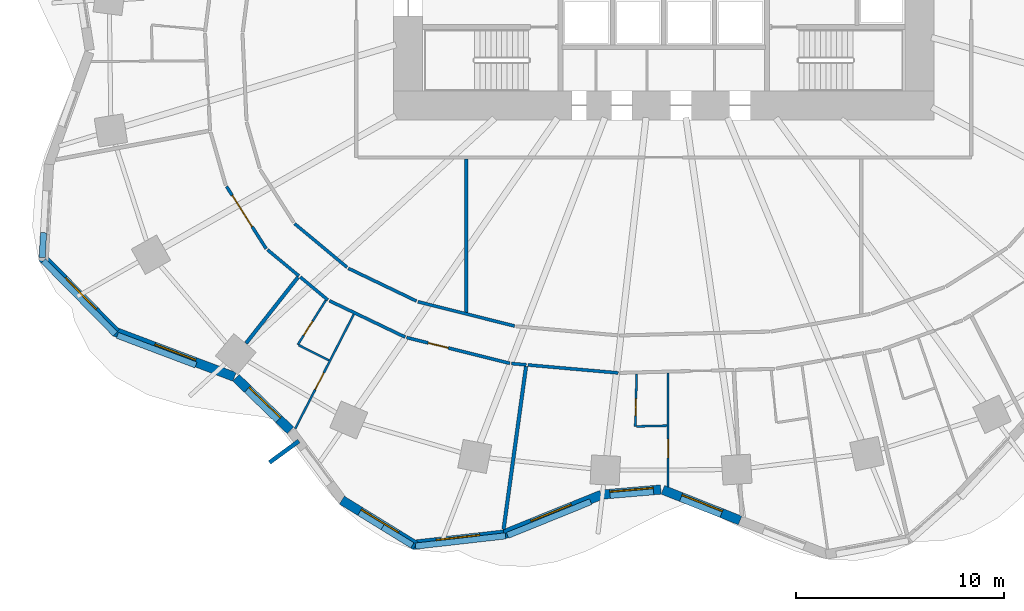
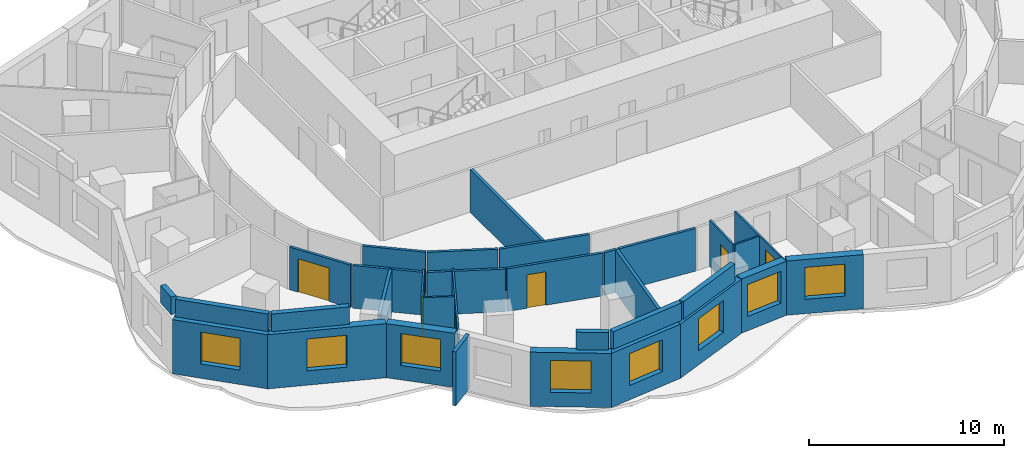
# One storey, part 3 of 11: 34 walls, 8 windows, 6 doors, 14 openings.
"""IFC4 building model written with IfcOpenShell, lengths in metres."""

from ifc_helpers import new_model, si_unit, direction, frame, frame_2d, origin, place, context, subcontext, project, spatial, rectangle, extrude, material, layer, layer_set, type_object, element, fill, save


model = new_model("IFC4")

# Units and contexts
model_context = context("Model", 3, precision=1e-05, world=origin(), true_north=direction((0.0, 1.0)))
body_context = subcontext(model_context, "Body", "Model", "MODEL_VIEW")
ifc_project = project(units=[si_unit("LENGTHUNIT", "METRE"), si_unit("AREAUNIT", "SQUARE_METRE"), si_unit("VOLUMEUNIT", "CUBIC_METRE"), si_unit("PLANEANGLEUNIT", "RADIAN"), si_unit("MASSUNIT", "GRAM", prefix="KILO")], contexts=[model_context])

# Site, building, storey
site_placement = place(None, origin())
site = spatial("IfcSite", under=ifc_project, at=site_placement, CompositionType="ELEMENT")
building_placement = place(site_placement, origin())
building = spatial("IfcBuilding", under=site, at=building_placement, Name="Rubra Terraces Tower", CompositionType="ELEMENT")
storey_placement = place(building_placement, frame((0.0, 0.0, 51.89990234375)))
storey = spatial("IfcBuildingStorey", under=building, at=storey_placement, Name="L10", CompositionType="ELEMENT", Elevation=51.89990234375)

# Walls
ifc_material_1 = material(Name="Twin plasterboard on staggered steel stud, acoustic mineral wool", Category="steel")
ifc_layer_1 = layer(ifc_material_1, 0.175048828125)
ifc_layer_set_1 = layer_set([ifc_layer_1], Name="Twin plasterboard on staggered steel stud, acoustic mineral wool")
wall_type_1 = type_object("IfcWallType", Name="ACOUSTIC PARTY WALL 175", PredefinedType="PARTITIONING", material=ifc_layer_set_1)
wall_1_placement = place(storey_placement, frame((-20.1015625, -13.744140625, 0.0), z_axis=(0.0, 0.0, 1.0), x_axis=(0.618226596267, 0.785999920908, 0.0)))
element("IfcWall", 1, at=wall_1_placement, inside=storey, type_object=wall_type_1, Name="PARTITION", PredefinedType="PARTITIONING", context=body_context, shape_type="SweptSolid", body=[
    extrude(rectangle(XDim=4.04541015625, YDim=0.175048828125, at=frame_2d((2.022705078125, 0.0))), origin(), (0.0, 0.0, 1.0), 2.68017578125),
])
wall_2_placement = place(storey_placement, frame((-7.70703125, -22.69873046875, 0.0), z_axis=(0.0, 0.0, 1.0), x_axis=(0.13661443917, 0.990624295589, 0.0)))
element("IfcWall", 2, at=wall_2_placement, inside=storey, type_object=wall_type_1, Name="PARTITION", PredefinedType="PARTITIONING", context=body_context, shape_type="SweptSolid", body=[
    extrude(rectangle(XDim=7.916748046875, YDim=0.175048828125, at=frame_2d((3.95849609375, 0.0))), origin(), (0.0, 0.0, 1.0), 2.68017578125),
])
wall_3_placement = place(storey_placement, frame((-9.5, -12.256591796875, 0.0), z_axis=(0.0, 0.0, 1.0), x_axis=(0.0, 1.0, 0.0)))
element("IfcWall", 3, at=wall_3_placement, inside=storey, type_object=wall_type_1, Name="PARTITION", PredefinedType="PARTITIONING", context=body_context, shape_type="SweptSolid", body=[
    extrude(rectangle(XDim=7.381591796875, YDim=0.175048828125, at=frame_2d((3.69091796875, 0.0))), origin(), (0.0, 0.0, 1.0), 2.68017578125),
])

# Wall, opening, window
ifc_material_2 = material(Name="Brick masonry red-brown", Category="masonry")
ifc_layer_2 = layer(ifc_material_2, 0.449951171875)
ifc_layer_set_2 = layer_set([ifc_layer_2], Name="Brick masonry red-brown")
wall_type_2 = type_object("IfcWallType", Name="Brick facade wall 450", PredefinedType="SOLIDWALL", material=ifc_layer_set_2)
wall_4_placement = place(storey_placement, frame((-29.909423828125, -9.6123046875, 0.0), z_axis=(0.0, 0.0, 1.0), x_axis=(0.700902433902, -0.713257161303, 0.0)))
wall_4 = element("IfcWall", 4, at=wall_4_placement, inside=storey, type_object=wall_type_2, Name="Facade wall L10 bay 23", PredefinedType="SOLIDWALL", context=body_context, shape_type="SweptSolid", body=[
    extrude(rectangle(XDim=5.07861328125, YDim=0.449951171875, at=frame_2d((2.539306640625, 0.0))), origin(), (0.0, 0.0, 1.0), 3.400146484375),
])
opening_1_placement = place(wall_4_placement, frame((1.4892578125, 0.0, 0.89990234375)))
opening_1 = element("IfcOpeningElement", 5, at=opening_1_placement, cuts=wall_4, Name="Opening W1", PredefinedType="OPENING", context=body_context, shape_type="SweptSolid", body=[
    extrude(rectangle(XDim=2.10009765625, YDim=2.0, at=frame_2d((1.050048828125, 1.0))), frame((0.0, 0.23486328125, 0.0), z_axis=(0.0, -1.0, 0.0), x_axis=(1.0, 0.0, 0.0)), (0.0, 0.0, 1.0), 0.469970703125),
])
ifc_material_3 = material(Name="Clear glass in aluminium frame", Category="aluminium")
window_type = type_object("IfcWindowType", Name="Fixed deep-set window 2100 x 2000", PartitioningType="SINGLE_PANEL", PredefinedType="WINDOW", material=ifc_material_3)
window_1_placement = place(opening_1_placement, origin())
window_1 = element("IfcWindow", 6, at=window_1_placement, inside=storey, type_object=window_type, Name="Window L10 bay 23", OverallHeight=2.0, OverallWidth=2.10009765625, PartitioningType="SINGLE_PANEL", PredefinedType="WINDOW", context=body_context, shape_type="SweptSolid", body=[
    extrude(rectangle(XDim=2.10009765625, YDim=2.0, at=frame_2d((1.050048828125, 1.0))), frame((0.0, 0.135009765625, 0.0), z_axis=(0.0, -1.0, 0.0), x_axis=(1.0, 0.0, 0.0)), (0.0, 0.0, 1.0), 0.06005859375),
])
fill(opening_1, window_1)

wall_5_placement = place(storey_placement, frame((-26.430908203125, -13.181884765625, 0.0), z_axis=(0.0, 0.0, 1.0), x_axis=(0.935540074321, -0.35322056755, 0.0)))
wall_5 = element("IfcWall", 7, at=wall_5_placement, inside=storey, type_object=wall_type_2, Name="Facade wall L10 bay 24", PredefinedType="SOLIDWALL", context=body_context, shape_type="SweptSolid", body=[
    extrude(rectangle(XDim=6.17236328125, YDim=0.449951171875, at=frame_2d((3.086181640625, 0.0))), origin(), (0.0, 0.0, 1.0), 3.400146484375),
])
opening_2_placement = place(wall_5_placement, frame((2.0361328125, 0.0, 0.89990234375)))
opening_2 = element("IfcOpeningElement", 8, at=opening_2_placement, cuts=wall_5, Name="Opening W1", PredefinedType="OPENING", context=body_context, shape_type="SweptSolid", body=[
    extrude(rectangle(XDim=2.10009765625, YDim=2.0, at=frame_2d((1.050048828125, 1.0))), frame((0.0, 0.23486328125, 0.0), z_axis=(0.0, -1.0, 0.0), x_axis=(1.0, 0.0, 0.0)), (0.0, 0.0, 1.0), 0.469970703125),
])
window_2_placement = place(opening_2_placement, origin())
window_2 = element("IfcWindow", 9, at=window_2_placement, inside=storey, type_object=window_type, Name="Window L10 bay 24", OverallHeight=2.0, OverallWidth=2.10009765625, PartitioningType="SINGLE_PANEL", PredefinedType="WINDOW", context=body_context, shape_type="SweptSolid", body=[
    extrude(rectangle(XDim=2.10009765625, YDim=2.0, at=frame_2d((1.050048828125, 1.0))), frame((0.0, 0.135009765625, 0.0), z_axis=(0.0, -1.0, 0.0), x_axis=(1.0, 0.0, 0.0)), (0.0, 0.0, 1.0), 0.06005859375),
])
fill(opening_2, window_2)

wall_6_placement = place(storey_placement, frame((-20.585205078125, -15.40576171875, 0.0), z_axis=(0.0, 0.0, 1.0), x_axis=(0.719978118026, -0.693996764808, 0.0)))
wall_6 = element("IfcWall", 10, at=wall_6_placement, inside=storey, type_object=wall_type_2, Name="Facade wall L10 bay 25", PredefinedType="SOLIDWALL", context=body_context, shape_type="SweptSolid", body=[
    extrude(rectangle(XDim=3.64599609375, YDim=0.449951171875, at=frame_2d((1.822998046875, 0.0))), origin(), (0.0, 0.0, 1.0), 3.400146484375),
])
opening_3_placement = place(wall_6_placement, frame((0.77294921875, 0.0, 0.89990234375)))
opening_3 = element("IfcOpeningElement", 11, at=opening_3_placement, cuts=wall_6, Name="Opening W1", PredefinedType="OPENING", context=body_context, shape_type="SweptSolid", body=[
    extrude(rectangle(XDim=2.10009765625, YDim=2.0, at=frame_2d((1.050048828125, 1.0))), frame((0.0, 0.23486328125, 0.0), z_axis=(0.0, -1.0, 0.0), x_axis=(1.0, 0.0, 0.0)), (0.0, 0.0, 1.0), 0.469970703125),
])
window_3_placement = place(opening_3_placement, origin())
window_3 = element("IfcWindow", 12, at=window_3_placement, inside=storey, type_object=window_type, Name="Window L10 bay 25", OverallHeight=2.0, OverallWidth=2.10009765625, PartitioningType="SINGLE_PANEL", PredefinedType="WINDOW", context=body_context, shape_type="SweptSolid", body=[
    extrude(rectangle(XDim=2.10009765625, YDim=2.0, at=frame_2d((1.050048828125, 1.0))), frame((0.0, 0.135009765625, 0.0), z_axis=(0.0, -1.0, 0.0), x_axis=(1.0, 0.0, 0.0)), (0.0, 0.0, 1.0), 0.06005859375),
])
fill(opening_3, window_3)

wall_7_placement = place(storey_placement, frame((-15.491943359375, -21.29345703125, 0.0), z_axis=(0.0, 0.0, 1.0), x_axis=(0.851428967753, -0.524469935145, 0.0)))
wall_7 = element("IfcWall", 13, at=wall_7_placement, inside=storey, type_object=wall_type_2, Name="Facade wall L10 bay 27", PredefinedType="SOLIDWALL", context=body_context, shape_type="SweptSolid", body=[
    extrude(rectangle(XDim=4.16796875, YDim=0.449951171875, at=frame_2d((2.083984375, 0.0))), origin(), (0.0, 0.0, 1.0), 3.400146484375),
])
opening_4_placement = place(wall_7_placement, frame((1.0341796875, 0.0, 0.89990234375)))
opening_4 = element("IfcOpeningElement", 14, at=opening_4_placement, cuts=wall_7, Name="Opening W1", PredefinedType="OPENING", context=body_context, shape_type="SweptSolid", body=[
    extrude(rectangle(XDim=2.10009765625, YDim=2.0, at=frame_2d((1.050048828125, 1.0))), frame((0.0, 0.23486328125, 0.0), z_axis=(0.0, -1.0, 0.0), x_axis=(1.0, 0.0, 0.0)), (0.0, 0.0, 1.0), 0.469970703125),
])
window_4_placement = place(opening_4_placement, origin())
window_4 = element("IfcWindow", 15, at=window_4_placement, inside=storey, type_object=window_type, Name="Window L10 bay 27", OverallHeight=2.0, OverallWidth=2.10009765625, PartitioningType="SINGLE_PANEL", PredefinedType="WINDOW", context=body_context, shape_type="SweptSolid", body=[
    extrude(rectangle(XDim=2.10009765625, YDim=2.0, at=frame_2d((1.050048828125, 1.0))), frame((0.0, 0.135009765625, 0.0), z_axis=(0.0, -1.0, 0.0), x_axis=(1.0, 0.0, 0.0)), (0.0, 0.0, 1.0), 0.06005859375),
])
fill(opening_4, window_4)

wall_8_placement = place(storey_placement, frame((-12.08642578125, -23.447509765625, 0.0), z_axis=(0.0, 0.0, 1.0), x_axis=(0.993615664665, 0.112818043472, 0.0)))
wall_8 = element("IfcWall", 16, at=wall_8_placement, inside=storey, type_object=wall_type_2, Name="Facade wall L10 bay 28", PredefinedType="SOLIDWALL", context=body_context, shape_type="SweptSolid", body=[
    extrude(rectangle(XDim=4.42333984375, YDim=0.449951171875, at=frame_2d((2.211669921875, 0.0))), origin(), (0.0, 0.0, 1.0), 3.400146484375),
])
opening_5_placement = place(wall_8_placement, frame((1.16162109375, 0.0, 0.89990234375)))
opening_5 = element("IfcOpeningElement", 17, at=opening_5_placement, cuts=wall_8, Name="Opening W1", PredefinedType="OPENING", context=body_context, shape_type="SweptSolid", body=[
    extrude(rectangle(XDim=2.10009765625, YDim=2.0, at=frame_2d((1.050048828125, 1.0))), frame((0.0, 0.23486328125, 0.0), z_axis=(0.0, -1.0, 0.0), x_axis=(1.0, 0.0, 0.0)), (0.0, 0.0, 1.0), 0.469970703125),
])
window_5_placement = place(opening_5_placement, origin())
window_5 = element("IfcWindow", 18, at=window_5_placement, inside=storey, type_object=window_type, Name="Window L10 bay 28", OverallHeight=2.0, OverallWidth=2.10009765625, PartitioningType="SINGLE_PANEL", PredefinedType="WINDOW", context=body_context, shape_type="SweptSolid", body=[
    extrude(rectangle(XDim=2.10009765625, YDim=2.0, at=frame_2d((1.050048828125, 1.0))), frame((0.0, 0.135009765625, 0.0), z_axis=(0.0, -1.0, 0.0), x_axis=(1.0, 0.0, 0.0)), (0.0, 0.0, 1.0), 0.06005859375),
])
fill(opening_5, window_5)

wall_9_placement = place(storey_placement, frame((-7.75048828125, -22.963623046875, 0.0), z_axis=(0.0, 0.0, 1.0), x_axis=(0.926629703254, 0.375975255897, 0.0)))
wall_9 = element("IfcWall", 19, at=wall_9_placement, inside=storey, type_object=wall_type_2, Name="Facade wall L10 bay 29", PredefinedType="SOLIDWALL", context=body_context, shape_type="SweptSolid", body=[
    extrude(rectangle(XDim=5.1181640625, YDim=0.449951171875, at=frame_2d((2.55908203125, 0.0))), origin(), (0.0, 0.0, 1.0), 3.400146484375),
])
opening_6_placement = place(wall_9_placement, frame((1.50927734375, 0.0, 0.89990234375)))
opening_6 = element("IfcOpeningElement", 20, at=opening_6_placement, cuts=wall_9, Name="Opening W1", PredefinedType="OPENING", context=body_context, shape_type="SweptSolid", body=[
    extrude(rectangle(XDim=2.10009765625, YDim=2.0, at=frame_2d((1.050048828125, 1.0))), frame((0.0, 0.23486328125, 0.0), z_axis=(0.0, -1.0, 0.0), x_axis=(1.0, 0.0, 0.0)), (0.0, 0.0, 1.0), 0.469970703125),
])
window_6_placement = place(opening_6_placement, origin())
window_6 = element("IfcWindow", 21, at=window_6_placement, inside=storey, type_object=window_type, Name="Window L10 bay 29", OverallHeight=2.0, OverallWidth=2.10009765625, PartitioningType="SINGLE_PANEL", PredefinedType="WINDOW", context=body_context, shape_type="SweptSolid", body=[
    extrude(rectangle(XDim=2.10009765625, YDim=2.0, at=frame_2d((1.050048828125, 1.0))), frame((0.0, 0.135009765625, 0.0), z_axis=(0.0, -1.0, 0.0), x_axis=(1.0, 0.0, 0.0)), (0.0, 0.0, 1.0), 0.06005859375),
])
fill(opening_6, window_6)

wall_10_placement = place(storey_placement, frame((-2.942138671875, -21.023681640625, 0.0), z_axis=(0.0, 0.0, 1.0), x_axis=(0.996362034459, 0.085221454389, 0.0)))
wall_10 = element("IfcWall", 22, at=wall_10_placement, inside=storey, type_object=wall_type_2, Name="Facade wall L10 bay 30", PredefinedType="SOLIDWALL", context=body_context, shape_type="SweptSolid", body=[
    extrude(rectangle(XDim=2.813232421875, YDim=0.449951171875, at=frame_2d((1.40673828125, 0.0))), origin(), (0.0, 0.0, 1.0), 3.400146484375),
])
opening_7_placement = place(wall_10_placement, frame((0.356689453125, 0.0, 0.89990234375)))
opening_7 = element("IfcOpeningElement", 23, at=opening_7_placement, cuts=wall_10, Name="Opening W1", PredefinedType="OPENING", context=body_context, shape_type="SweptSolid", body=[
    extrude(rectangle(XDim=2.10009765625, YDim=2.0, at=frame_2d((1.050048828125, 1.0))), frame((0.0, 0.23486328125, 0.0), z_axis=(0.0, -1.0, 0.0), x_axis=(1.0, 0.0, 0.0)), (0.0, 0.0, 1.0), 0.469970703125),
])
window_7_placement = place(opening_7_placement, origin())
window_7 = element("IfcWindow", 24, at=window_7_placement, inside=storey, type_object=window_type, Name="Window L10 bay 30", OverallHeight=2.0, OverallWidth=2.10009765625, PartitioningType="SINGLE_PANEL", PredefinedType="WINDOW", context=body_context, shape_type="SweptSolid", body=[
    extrude(rectangle(XDim=2.10009765625, YDim=2.0, at=frame_2d((1.050048828125, 1.0))), frame((0.0, 0.135009765625, 0.0), z_axis=(0.0, -1.0, 0.0), x_axis=(1.0, 0.0, 0.0)), (0.0, 0.0, 1.0), 0.06005859375),
])
fill(opening_7, window_7)

wall_11_placement = place(storey_placement, frame((-0.04052734375, -20.797607421875, 0.0), z_axis=(0.0, 0.0, 1.0), x_axis=(0.929539262027, -0.368723148649, 0.0)))
wall_11 = element("IfcWall", 25, at=wall_11_placement, inside=storey, type_object=wall_type_2, Name="Facade wall L10 bay 31", PredefinedType="SOLIDWALL", context=body_context, shape_type="SweptSolid", body=[
    extrude(rectangle(XDim=3.99462890625, YDim=0.449951171875, at=frame_2d((1.997314453125, 0.0))), origin(), (0.0, 0.0, 1.0), 3.400146484375),
])
opening_8_placement = place(wall_11_placement, frame((0.947265625, 0.0, 0.89990234375)))
opening_8 = element("IfcOpeningElement", 26, at=opening_8_placement, cuts=wall_11, Name="Opening W1", PredefinedType="OPENING", context=body_context, shape_type="SweptSolid", body=[
    extrude(rectangle(XDim=2.10009765625, YDim=2.0, at=frame_2d((1.050048828125, 1.0))), frame((0.0, 0.23486328125, 0.0), z_axis=(0.0, -1.0, 0.0), x_axis=(1.0, 0.0, 0.0)), (0.0, 0.0, 1.0), 0.469970703125),
])
window_8_placement = place(opening_8_placement, origin())
window_8 = element("IfcWindow", 27, at=window_8_placement, inside=storey, type_object=window_type, Name="Window L10 bay 31", OverallHeight=2.0, OverallWidth=2.10009765625, PartitioningType="SINGLE_PANEL", PredefinedType="WINDOW", context=body_context, shape_type="SweptSolid", body=[
    extrude(rectangle(XDim=2.10009765625, YDim=2.0, at=frame_2d((1.050048828125, 1.0))), frame((0.0, 0.135009765625, 0.0), z_axis=(0.0, -1.0, 0.0), x_axis=(1.0, 0.0, 0.0)), (0.0, 0.0, 1.0), 0.06005859375),
])
fill(opening_8, window_8)

# Walls
ifc_layer_3 = layer(ifc_material_2, 0.300048828125)
ifc_layer_set_3 = layer_set([ifc_layer_3], Name="Brick masonry red-brown")
wall_type_3 = type_object("IfcWallType", Name="Brick parapet 300", PredefinedType="PARAPET", material=ifc_layer_set_3)
wall_12_placement = place(storey_placement, frame((-29.845947265625, -8.422119140625, 3.60009765625), z_axis=(0.0, 0.0, 1.0), x_axis=(-0.054723601839, -0.998501541011, 0.0)))
element("IfcWall", 28, at=wall_12_placement, inside=storey, type_object=wall_type_3, Name="Parapet L10 bay 22", PredefinedType="PARAPET", context=body_context, shape_type="SweptSolid", body=[
    extrude(rectangle(XDim=1.195556640625, YDim=0.300048828125, at=frame_2d((0.59765625, 0.0))), origin(), (0.0, 0.0, 1.0), 1.10009765625),
])
wall_13_placement = place(storey_placement, frame((-29.84912109375, -9.78076171875, 3.60009765625), z_axis=(0.0, 0.0, 1.0), x_axis=(0.700911537772, -0.713248215012, 0.0)))
element("IfcWall", 29, at=wall_13_placement, inside=storey, type_object=wall_type_3, Name="Parapet L10 bay 23", PredefinedType="PARAPET", context=body_context, shape_type="SweptSolid", body=[
    extrude(rectangle(XDim=4.927734375, YDim=0.300048828125, at=frame_2d((2.4638671875, 0.0))), origin(), (0.0, 0.0, 1.0), 1.10009765625),
])
wall_14_placement = place(storey_placement, frame((-26.292236328125, -13.362548828125, 3.60009765625), z_axis=(0.0, 0.0, 1.0), x_axis=(0.93551777481, -0.353279624397, 0.0)))
element("IfcWall", 30, at=wall_14_placement, inside=storey, type_object=wall_type_3, Name="Parapet L10 bay 24", PredefinedType="PARAPET", context=body_context, shape_type="SweptSolid", body=[
    extrude(rectangle(XDim=4.04345703125, YDim=0.300048828125, at=frame_2d((2.021728515625, 0.0))), origin(), (0.0, 0.0, 1.0), 1.10009765625),
])
wall_15_placement = place(storey_placement, frame((-13.52978515625, -22.590087890625, 3.60009765625), z_axis=(0.0, 0.0, 1.0), x_axis=(0.851434206084, -0.524461431098, 0.0)))
element("IfcWall", 31, at=wall_15_placement, inside=storey, type_object=wall_type_3, Name="Parapet L10 bay 27", PredefinedType="PARAPET", context=body_context, shape_type="SweptSolid", body=[
    extrude(rectangle(XDim=1.683837890625, YDim=0.300048828125, at=frame_2d((0.841796875, 0.0))), origin(), (0.0, 0.0, 1.0), 1.10009765625),
])
wall_16_placement = place(storey_placement, frame((-11.9453125, -23.5068359375, 3.60009765625), z_axis=(0.0, 0.0, 1.0), x_axis=(0.993618806168, 0.11279037206, 0.0)))
element("IfcWall", 32, at=wall_16_placement, inside=storey, type_object=wall_type_3, Name="Parapet L10 bay 28", PredefinedType="PARAPET", context=body_context, shape_type="SweptSolid", body=[
    extrude(rectangle(XDim=4.361572265625, YDim=0.300048828125, at=frame_2d((2.1806640625, 0.0))), origin(), (0.0, 0.0, 1.0), 1.10009765625),
])
wall_17_placement = place(storey_placement, frame((-7.514404296875, -22.990234375, 3.60009765625), z_axis=(0.0, 0.0, 1.0), x_axis=(0.926627413994, 0.375980897966, 0.0)))
element("IfcWall", 33, at=wall_17_placement, inside=storey, type_object=wall_type_3, Name="Parapet L10 bay 29", PredefinedType="PARAPET", context=body_context, shape_type="SweptSolid", body=[
    extrude(rectangle(XDim=4.31494140625, YDim=0.300048828125, at=frame_2d((2.157470703125, 0.0))), origin(), (0.0, 0.0, 1.0), 1.10009765625),
])
ifc_layer_4 = layer(ifc_material_2, 0.199951171875)
ifc_layer_set_4 = layer_set([ifc_layer_4], Name="Brick masonry red-brown")
wall_type_4 = type_object("IfcWallType", Name="Brick wind fin 200", PredefinedType="SOLIDWALL", material=ifc_layer_set_4)
wall_18_placement = place(storey_placement, frame((-17.56005859375, -18.449951171875, 0.0), z_axis=(0.0, 0.0, 1.0), x_axis=(-0.807091943364, -0.590425774299, 0.0)))
element("IfcWall", 34, at=wall_18_placement, inside=storey, type_object=wall_type_4, Name="Wind fin L10 16", PredefinedType="SOLIDWALL", context=body_context, shape_type="SweptSolid", body=[
    extrude(rectangle(XDim=1.75, YDim=0.199951171875, at=frame_2d((0.875, 0.0))), origin(), (0.0, 0.0, 1.0), 3.400146484375),
])

# Wall, opening, door
ifc_material_4 = material(Name="Plasterboard on steel stud, mineral wool infill", Category="steel")
ifc_layer_5 = layer(ifc_material_4, 0.14990234375)
ifc_layer_set_5 = layer_set([ifc_layer_5], Name="Plasterboard on steel stud, mineral wool infill")
wall_type_5 = type_object("IfcWallType", Name="CORRIDOR PARTITION 150", PredefinedType="PARTITIONING", material=ifc_layer_set_5)
wall_19_placement = place(storey_placement, frame((-21.04052734375, -6.20068359375, 0.0), z_axis=(0.0, 0.0, 1.0), x_axis=(0.537680823918, -0.843148463552, 0.0)))
wall_19 = element("IfcWall", 35, at=wall_19_placement, inside=storey, type_object=wall_type_5, Name="PARTITION", PredefinedType="PARTITIONING", context=body_context, shape_type="SweptSolid", body=[
    extrude(rectangle(XDim=3.54931640625, YDim=0.14990234375, at=frame_2d((1.774658203125, 0.0))), origin(), (0.0, 0.0, 1.0), 2.68017578125),
])
opening_9_placement = place(wall_19_placement, frame((0.498046875, 0.0, 0.0)))
opening_9 = element("IfcOpeningElement", 36, at=opening_9_placement, cuts=wall_19, Name="Opening 10-112", PredefinedType="OPENING", context=body_context, shape_type="SweptSolid", body=[
    extrude(rectangle(XDim=1.800048828125, YDim=2.10009765625, at=frame_2d((0.89990234375, 1.050048828125))), frame((0.0, 0.0849609375, 0.0), z_axis=(0.0, -1.0, 0.0), x_axis=(1.0, 0.0, 0.0)), (0.0, 0.0, 1.0), 0.169921875),
])
ifc_material_5 = material(Name="Painted timber door leaf, double", Category="wood")
door_type_1 = type_object("IfcDoorType", Name="ROOM DOUBLE DOOR 1800 X 2100", OperationType="DOUBLE_DOOR_SINGLE_SWING", PredefinedType="DOOR", material=ifc_material_5)
door_1_placement = place(opening_9_placement, origin())
door_1 = element("IfcDoor", 37, at=door_1_placement, inside=storey, type_object=door_type_1, Name="DOOR 10-112", OperationType="DOUBLE_DOOR_SINGLE_SWING", OverallHeight=2.10009765625, OverallWidth=1.800048828125, PredefinedType="DOOR", context=body_context, shape_type="SweptSolid", body=[
    extrude(rectangle(XDim=1.800048828125, YDim=2.10009765625, at=frame_2d((0.89990234375, 1.050048828125))), frame((0.0, 0.02490234375, 0.0), z_axis=(0.0, -1.0, 0.0), x_axis=(1.0, 0.0, 0.0)), (0.0, 0.0, 1.0), 0.050048828125),
])
fill(opening_9, door_1)

# Walls
wall_20_placement = place(storey_placement, frame((-19.07421875, -9.2412109375, 0.0), z_axis=(0.0, 0.0, 1.0), x_axis=(0.768787772902, -0.639503995481, 0.0)))
element("IfcWall", 38, at=wall_20_placement, inside=storey, type_object=wall_type_5, Name="PARTITION", PredefinedType="PARTITIONING", context=body_context, shape_type="SweptSolid", body=[
    extrude(rectangle(XDim=1.97705078125, YDim=0.14990234375, at=frame_2d((0.988525390625, 0.0))), origin(), (0.0, 0.0, 1.0), 2.68017578125),
])
wall_21_placement = place(storey_placement, frame((-17.49658203125, -10.5537109375, 0.0), z_axis=(0.0, 0.0, 1.0), x_axis=(0.768889363983, -0.63938184675, 0.0)))
element("IfcWall", 39, at=wall_21_placement, inside=storey, type_object=wall_type_5, Name="PARTITION", PredefinedType="PARTITIONING", context=body_context, shape_type="SweptSolid", body=[
    extrude(rectangle(XDim=1.736328125, YDim=0.14990234375, at=frame_2d((0.8681640625, 0.0))), origin(), (0.0, 0.0, 1.0), 2.68017578125),
])
wall_22_placement = place(storey_placement, frame((-16.093994140625, -11.6962890625, 0.0), z_axis=(0.0, 0.0, 1.0), x_axis=(0.901427088992, -0.432930945108, 0.0)))
element("IfcWall", 40, at=wall_22_placement, inside=storey, type_object=wall_type_5, Name="PARTITION", PredefinedType="PARTITIONING", context=body_context, shape_type="SweptSolid", body=[
    extrude(rectangle(XDim=4.050048828125, YDim=0.14990234375, at=frame_2d((2.02490234375, 0.0))), origin(), (0.0, 0.0, 1.0), 2.68017578125),
])

# Wall, opening, door
wall_23_placement = place(storey_placement, frame((-12.37060546875, -13.4677734375, 0.0), z_axis=(0.0, 0.0, 1.0), x_axis=(0.969987994087, -0.243152814764, 0.0)))
wall_23 = element("IfcWall", 41, at=wall_23_placement, inside=storey, type_object=wall_type_5, Name="PARTITION", PredefinedType="PARTITIONING", context=body_context, shape_type="SweptSolid", body=[
    extrude(rectangle(XDim=5.11865234375, YDim=0.14990234375, at=frame_2d((2.559326171875, 0.0))), origin(), (0.0, 0.0, 1.0), 2.68017578125),
])
opening_10_placement = place(wall_23_placement, frame((1.06689453125, 0.0, 0.0)))
opening_10 = element("IfcOpeningElement", 42, at=opening_10_placement, cuts=wall_23, Name="Opening 10-115", PredefinedType="OPENING", context=body_context, shape_type="SweptSolid", body=[
    extrude(rectangle(XDim=1.0, YDim=2.10009765625, at=frame_2d((0.5, 1.050048828125))), frame((0.0, 0.0849609375, 0.0), z_axis=(0.0, -1.0, 0.0), x_axis=(1.0, 0.0, 0.0)), (0.0, 0.0, 1.0), 0.169921875),
])
ifc_material_6 = material(Name="Painted timber door leaf", Category="wood")
door_type_2 = type_object("IfcDoorType", Name="ROOM DOOR 1000 X 2100", OperationType="SINGLE_SWING_LEFT", PredefinedType="DOOR", material=ifc_material_6)
door_2_placement = place(opening_10_placement, origin())
door_2 = element("IfcDoor", 43, at=door_2_placement, inside=storey, type_object=door_type_2, Name="DOOR 10-115", OperationType="SINGLE_SWING_RIGHT", OverallHeight=2.10009765625, OverallWidth=1.0, PredefinedType="DOOR", context=body_context, shape_type="SweptSolid", body=[
    extrude(rectangle(XDim=1.0, YDim=2.10009765625, at=frame_2d((0.5, 1.050048828125))), frame((0.0, 0.02490234375, 0.0), z_axis=(0.0, -1.0, 0.0), x_axis=(1.0, 0.0, 0.0)), (0.0, 0.0, 1.0), 0.050048828125),
])
fill(opening_10, door_2)

# Walls
wall_24_placement = place(storey_placement, frame((-7.330810546875, -14.718994140625, 0.0), z_axis=(0.0, 0.0, 1.0), x_axis=(0.996148207285, -0.087685512617, 0.0)))
element("IfcWall", 44, at=wall_24_placement, inside=storey, type_object=wall_type_5, Name="PARTITION", PredefinedType="PARTITIONING", context=body_context, shape_type="SweptSolid", body=[
    extrude(rectangle(XDim=0.71826171875, YDim=0.14990234375, at=frame_2d((0.359130859375, 0.0))), origin(), (0.0, 0.0, 1.0), 2.68017578125),
])
wall_25_placement = place(storey_placement, frame((-6.54052734375, -14.78857421875, 0.0), z_axis=(0.0, 0.0, 1.0), x_axis=(0.996138192674, -0.087799208971, 0.0)))
element("IfcWall", 45, at=wall_25_placement, inside=storey, type_object=wall_type_5, Name="PARTITION", PredefinedType="PARTITIONING", context=body_context, shape_type="SweptSolid", body=[
    extrude(rectangle(XDim=4.368408203125, YDim=0.14990234375, at=frame_2d((2.18408203125, 0.0))), origin(), (0.0, 0.0, 1.0), 2.68017578125),
])
wall_26_placement = place(storey_placement, frame((-7.178466796875, -12.91357421875, 0.0), z_axis=(0.0, 0.0, 1.0), x_axis=(-0.969983523639, 0.243170647628, 0.0)))
element("IfcWall", 46, at=wall_26_placement, inside=storey, type_object=wall_type_5, Name="PARTITION", PredefinedType="PARTITIONING", context=body_context, shape_type="SweptSolid", body=[
    extrude(rectangle(XDim=4.7939453125, YDim=0.14990234375, at=frame_2d((2.39697265625, 0.0))), origin(), (0.0, 0.0, 1.0), 2.68017578125),
])
wall_27_placement = place(storey_placement, frame((-11.896240234375, -11.71533203125, 0.0), z_axis=(0.0, 0.0, 1.0), x_axis=(-0.901466605799, 0.432848655571, 0.0)))
element("IfcWall", 47, at=wall_27_placement, inside=storey, type_object=wall_type_5, Name="PARTITION", PredefinedType="PARTITIONING", context=body_context, shape_type="SweptSolid", body=[
    extrude(rectangle(XDim=3.644775390625, YDim=0.14990234375, at=frame_2d((1.822265625, 0.0))), origin(), (0.0, 0.0, 1.0), 2.68017578125),
])
wall_28_placement = place(storey_placement, frame((-15.239501953125, -10.089599609375, 0.0), z_axis=(0.0, 0.0, 1.0), x_axis=(-0.768799656378, 0.639489709341, 0.0)))
element("IfcWall", 48, at=wall_28_placement, inside=storey, type_object=wall_type_5, Name="PARTITION", PredefinedType="PARTITIONING", context=body_context, shape_type="SweptSolid", body=[
    extrude(rectangle(XDim=3.28515625, YDim=0.14990234375, at=frame_2d((1.642578125, 0.0))), origin(), (0.0, 0.0, 1.0), 2.68017578125),
])

# Wall, opening, door
ifc_material_7 = material(Name="Plasterboard on steel stud", Category="steel")
ifc_layer_6 = layer(ifc_material_7, 0.10009765625)
ifc_layer_set_6 = layer_set([ifc_layer_6], Name="Plasterboard on steel stud")
wall_type_6 = type_object("IfcWallType", Name="ROOM PARTITION 100", PredefinedType="PARTITIONING", material=ifc_layer_set_6)
wall_29_placement = place(storey_placement, frame((-17.73583984375, -17.85400390625, 0.0), z_axis=(0.0, 0.0, 1.0), x_axis=(0.455840045042, 0.890061713218, 0.0)))
wall_29 = element("IfcWall", 49, at=wall_29_placement, inside=storey, type_object=wall_type_6, Name="PARTITION", PredefinedType="PARTITIONING", context=body_context, shape_type="SweptSolid", body=[
    extrude(rectangle(XDim=6.188720703125, YDim=0.10009765625, at=frame_2d((3.09423828125, 0.0))), origin(), (0.0, 0.0, 1.0), 2.898193359375),
])
opening_11_placement = place(wall_29_placement, frame((2.113037109375, 0.0, 0.0)))
opening_11 = element("IfcOpeningElement", 50, at=opening_11_placement, cuts=wall_29, Name="Opening 10-114", PredefinedType="OPENING", context=body_context, shape_type="SweptSolid", body=[
    extrude(rectangle(XDim=0.89990234375, YDim=2.39990234375, at=frame_2d((0.449951171875, 1.199951171875))), frame((0.0, 0.06005859375, 0.0), z_axis=(0.0, -1.0, 0.0), x_axis=(1.0, 0.0, 0.0)), (0.0, 0.0, 1.0), 0.1201171875),
])
ifc_material_8 = material(Name="Veneered timber door leaf, fire-rated", Category="wood")
door_type_3 = type_object("IfcDoorType", Name="SUITE ENTRANCE DOOR 900 X 2400", OperationType="SINGLE_SWING_LEFT", PredefinedType="DOOR", material=ifc_material_8)
door_3_placement = place(opening_11_placement, origin())
door_3 = element("IfcDoor", 51, at=door_3_placement, inside=storey, type_object=door_type_3, Name="DOOR 10-114", OperationType="SINGLE_SWING_LEFT", OverallHeight=2.39990234375, OverallWidth=0.89990234375, PredefinedType="DOOR", context=body_context, shape_type="SweptSolid", body=[
    extrude(rectangle(XDim=0.89990234375, YDim=2.39990234375, at=frame_2d((0.449951171875, 1.199951171875))), frame((0.0, 0.02490234375, 0.0), z_axis=(0.0, -1.0, 0.0), x_axis=(1.0, 0.0, 0.0)), (0.0, 0.0, 1.0), 0.050048828125),
])
fill(opening_11, door_3)

wall_30_placement = place(storey_placement, frame((-16.262451171875, -11.6767578125, 0.0), z_axis=(0.0, 0.0, 1.0), x_axis=(-0.533687401526, -0.845681829918, 0.0)))
wall_30 = element("IfcWall", 52, at=wall_30_placement, inside=storey, type_object=wall_type_6, Name="PARTITION", PredefinedType="PARTITIONING", context=body_context, shape_type="SweptSolid", body=[
    extrude(rectangle(XDim=2.525146484375, YDim=0.10009765625, at=frame_2d((1.2626953125, 0.0))), origin(), (0.0, 0.0, 1.0), 2.898193359375),
])
opening_12_placement = place(wall_30_placement, frame((1.199951171875, 0.0, 0.0)))
opening_12 = element("IfcOpeningElement", 53, at=opening_12_placement, cuts=wall_30, Name="Opening 10-113", PredefinedType="OPENING", context=body_context, shape_type="SweptSolid", body=[
    extrude(rectangle(XDim=0.800048828125, YDim=2.10009765625, at=frame_2d((0.39990234375, 1.050048828125))), frame((0.0, 0.06005859375, 0.0), z_axis=(0.0, -1.0, 0.0), x_axis=(1.0, 0.0, 0.0)), (0.0, 0.0, 1.0), 0.1201171875),
])
door_type_4 = type_object("IfcDoorType", Name="BATHROOM DOOR 800 X 2100", OperationType="SINGLE_SWING_LEFT", PredefinedType="DOOR", material=ifc_material_6)
door_4_placement = place(opening_12_placement, origin())
door_4 = element("IfcDoor", 54, at=door_4_placement, inside=storey, type_object=door_type_4, Name="DOOR 10-113", OperationType="SINGLE_SWING_LEFT", OverallHeight=2.10009765625, OverallWidth=0.800048828125, PredefinedType="DOOR", context=body_context, shape_type="SweptSolid", body=[
    extrude(rectangle(XDim=0.800048828125, YDim=2.10009765625, at=frame_2d((0.39990234375, 1.050048828125))), frame((0.0, 0.02490234375, 0.0), z_axis=(0.0, -1.0, 0.0), x_axis=(1.0, 0.0, 0.0)), (0.0, 0.0, 1.0), 0.050048828125),
])
fill(opening_12, door_4)

# Wall
wall_31_placement = place(storey_placement, frame((-17.5654296875, -13.834716796875, 0.0), z_axis=(0.0, 0.0, 1.0), x_axis=(0.892351112888, -0.451341878544, 0.0)))
element("IfcWall", 55, at=wall_31_placement, inside=storey, type_object=wall_type_6, Name="PARTITION", PredefinedType="PARTITIONING", context=body_context, shape_type="SweptSolid", body=[
    extrude(rectangle(XDim=1.63037109375, YDim=0.10009765625, at=frame_2d((0.815185546875, 0.0))), origin(), (0.0, 0.0, 1.0), 2.898193359375),
])

# Wall, opening, door
wall_32_placement = place(storey_placement, frame((0.212890625, -20.656005859375, 0.0), z_axis=(0.0, 0.0, 1.0), x_axis=(-0.00223124082, 0.999997510779, 0.0)))
wall_32 = element("IfcWall", 56, at=wall_32_placement, inside=storey, type_object=wall_type_6, Name="PARTITION", PredefinedType="PARTITIONING", context=body_context, shape_type="SweptSolid", body=[
    extrude(rectangle(XDim=5.470947265625, YDim=0.10009765625, at=frame_2d((2.7353515625, 0.0))), origin(), (0.0, 0.0, 1.0), 2.898193359375),
])
opening_13_placement = place(wall_32_placement, frame((1.39599609375, 0.0, 0.0)))
opening_13 = element("IfcOpeningElement", 57, at=opening_13_placement, cuts=wall_32, Name="Opening 10-117", PredefinedType="OPENING", context=body_context, shape_type="SweptSolid", body=[
    extrude(rectangle(XDim=0.89990234375, YDim=2.39990234375, at=frame_2d((0.449951171875, 1.199951171875))), frame((0.0, 0.06005859375, 0.0), z_axis=(0.0, -1.0, 0.0), x_axis=(1.0, 0.0, 0.0)), (0.0, 0.0, 1.0), 0.1201171875),
])
door_5_placement = place(opening_13_placement, origin())
door_5 = element("IfcDoor", 58, at=door_5_placement, inside=storey, type_object=door_type_3, Name="DOOR 10-117", OperationType="SINGLE_SWING_LEFT", OverallHeight=2.39990234375, OverallWidth=0.89990234375, PredefinedType="DOOR", context=body_context, shape_type="SweptSolid", body=[
    extrude(rectangle(XDim=0.89990234375, YDim=2.39990234375, at=frame_2d((0.449951171875, 1.199951171875))), frame((0.0, 0.02490234375, 0.0), z_axis=(0.0, -1.0, 0.0), x_axis=(1.0, 0.0, 0.0)), (0.0, 0.0, 1.0), 0.050048828125),
])
fill(opening_13, door_5)

wall_33_placement = place(storey_placement, frame((-1.301025390625, -15.22412109375, 0.0), z_axis=(0.0, 0.0, 1.0), x_axis=(-0.028333401265, -0.999598528597, 0.0)))
wall_33 = element("IfcWall", 59, at=wall_33_placement, inside=storey, type_object=wall_type_6, Name="PARTITION", PredefinedType="PARTITIONING", context=body_context, shape_type="SweptSolid", body=[
    extrude(rectangle(XDim=2.524658203125, YDim=0.10009765625, at=frame_2d((1.26220703125, 0.0))), origin(), (0.0, 0.0, 1.0), 2.898193359375),
])
opening_14_placement = place(wall_33_placement, frame((1.199951171875, 0.0, 0.0)))
opening_14 = element("IfcOpeningElement", 60, at=opening_14_placement, cuts=wall_33, Name="Opening 10-116", PredefinedType="OPENING", context=body_context, shape_type="SweptSolid", body=[
    extrude(rectangle(XDim=0.800048828125, YDim=2.10009765625, at=frame_2d((0.39990234375, 1.050048828125))), frame((0.0, 0.06005859375, 0.0), z_axis=(0.0, -1.0, 0.0), x_axis=(1.0, 0.0, 0.0)), (0.0, 0.0, 1.0), 0.1201171875),
])
door_6_placement = place(opening_14_placement, origin())
door_6 = element("IfcDoor", 61, at=door_6_placement, inside=storey, type_object=door_type_4, Name="DOOR 10-116", OperationType="SINGLE_SWING_LEFT", OverallHeight=2.10009765625, OverallWidth=0.800048828125, PredefinedType="DOOR", context=body_context, shape_type="SweptSolid", body=[
    extrude(rectangle(XDim=0.800048828125, YDim=2.10009765625, at=frame_2d((0.39990234375, 1.050048828125))), frame((0.0, 0.02490234375, 0.0), z_axis=(0.0, -1.0, 0.0), x_axis=(1.0, 0.0, 0.0)), (0.0, 0.0, 1.0), 0.050048828125),
])
fill(opening_14, door_6)

# Wall
wall_34_placement = place(storey_placement, frame((-1.322509765625, -17.74658203125, 0.0), z_axis=(0.0, 0.0, 1.0), x_axis=(0.999713673915, 0.023928438877, 0.0)))
element("IfcWall", 62, at=wall_34_placement, inside=storey, type_object=wall_type_6, Name="PARTITION", PredefinedType="PARTITIONING", context=body_context, shape_type="SweptSolid", body=[
    extrude(rectangle(XDim=1.4794921875, YDim=0.10009765625, at=frame_2d((0.73974609375, 0.0))), origin(), (0.0, 0.0, 1.0), 2.898193359375),
])

save(model, "model.ifc")
